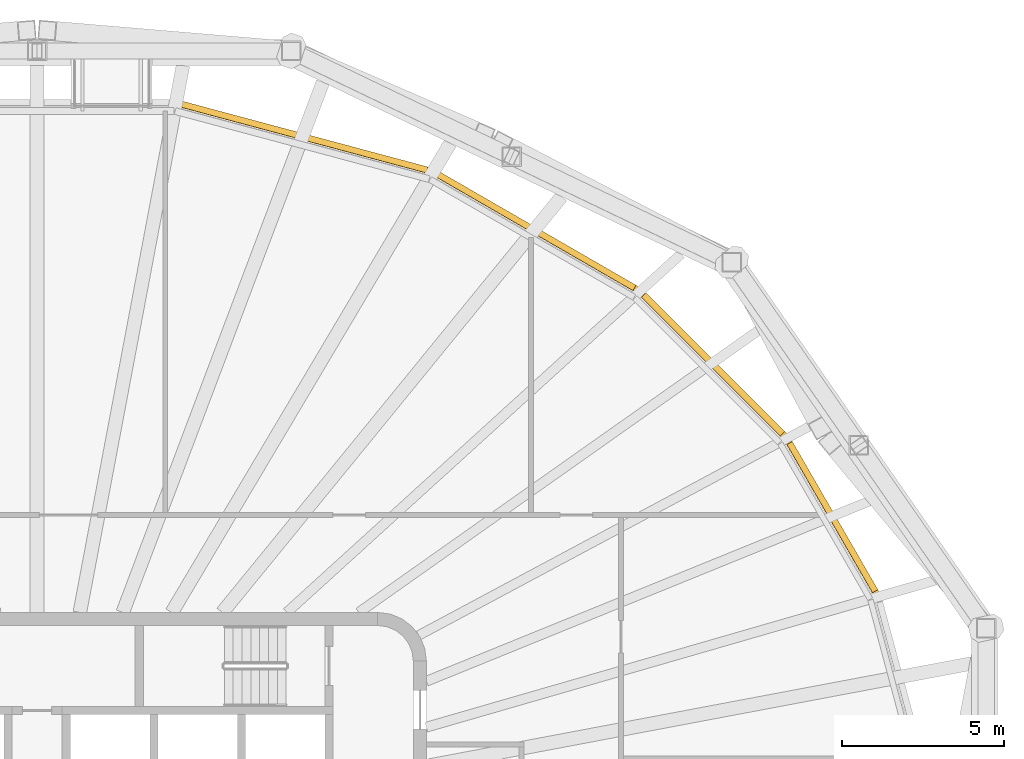
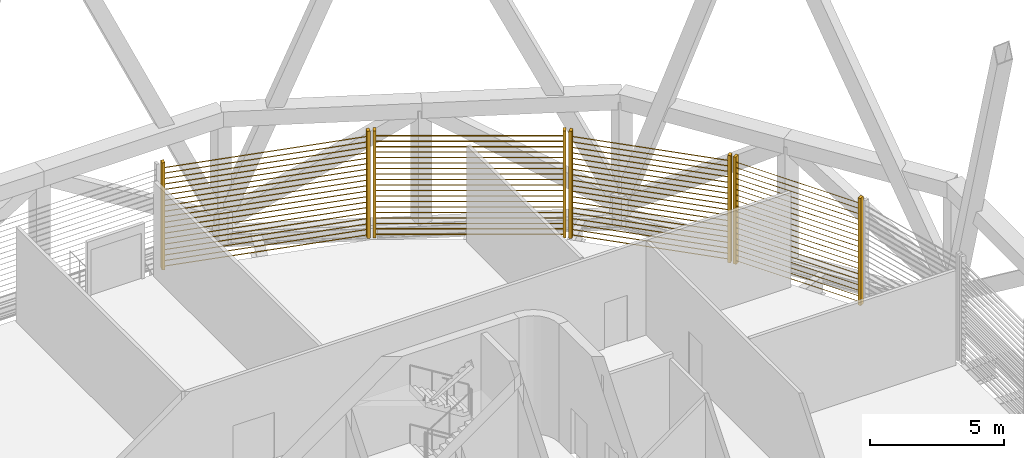
# One storey, part 16 of 16: 4 shading devices.
"""IFC4 building model written with IfcOpenShell, lengths in metres."""

from ifc_helpers import new_model, si_unit, direction, frame, origin, origin_2d, place, context, subcontext, project, spatial, rectangle, extrude, material, type_object, element, save


model = new_model("IFC4")

# Units and contexts
model_context = context("Model", 3, precision=1e-05, world=origin(), true_north=direction((0.0, 1.0)))
body_context = subcontext(model_context, "Body", "Model", "MODEL_VIEW")
ifc_project = project(units=[si_unit("LENGTHUNIT", "METRE"), si_unit("AREAUNIT", "SQUARE_METRE"), si_unit("VOLUMEUNIT", "CUBIC_METRE"), si_unit("PLANEANGLEUNIT", "RADIAN"), si_unit("MASSUNIT", "GRAM", prefix="KILO")], contexts=[model_context])

# Site, building, storey
site_placement = place(None, origin())
site = spatial("IfcSite", under=ifc_project, at=site_placement, CompositionType="ELEMENT")
building_placement = place(site_placement, origin())
building = spatial("IfcBuilding", under=site, at=building_placement, Name="Sahrelin Media Tower", CompositionType="ELEMENT")
storey_placement = place(building_placement, frame((0.0, 0.0, 299.0)))
storey = spatial("IfcBuildingStorey", under=building, at=storey_placement, Name="L66", CompositionType="ELEMENT", Elevation=299.0)

# Shading devices
ifc_material = material(Name="Champagne anodised aluminium 6063-T6", Category="aluminium")
shading_device_type = type_object("IfcShadingDeviceType", Name="Sand-rejection louvre band", PredefinedType="USERDEFINED", material=ifc_material)
shading_device_1_placement = place(storey_placement, frame((24.419677734375, 9.884033203125, 0.0), z_axis=(0.0, 0.0, 1.0), x_axis=(0.500011000363, -0.866019052629, 0.0)))
element("IfcShadingDevice", 1, at=shading_device_1_placement, inside=storey, type_object=shading_device_type, Name="L66:LOUVRE:L66-02", ObjectType="LOUVRE", PredefinedType="USERDEFINED", context=body_context, shape_type="SweptSolid", body=[
    extrude(rectangle(XDim=0.1201171875, YDim=0.199951171875, at=origin_2d()), frame((2.69580078125, 0.10009765625, 0.050048828125), z_axis=(0.0, 0.0, 1.0), x_axis=(1.0, 0.0, 0.0)), (0.0, 0.0, 1.0), 4.8984375),
    extrude(rectangle(XDim=0.1201171875, YDim=0.199951171875, at=origin_2d()), frame((-2.69580078125, 0.10009765625, 0.050048828125), z_axis=(0.0, 0.0, 1.0), x_axis=(1.0, 0.0, 0.0)), (0.0, 0.0, 1.0), 4.8984375),
    extrude(rectangle(XDim=0.25, YDim=0.02001953125, at=origin_2d()), frame((2.6357421875, 0.10009765625, 0.14990234375), z_axis=(-1.0, 0.0, 0.0), x_axis=(0.0, -0.766044443119, 0.642787609687)), (0.0, 0.0, 1.0), 5.271484375),
    extrude(rectangle(XDim=0.25, YDim=0.02001953125, at=origin_2d()), frame((2.6357421875, 0.10009765625, 0.39990234375), z_axis=(-1.0, 0.0, 0.0), x_axis=(0.0, -0.766044443119, 0.642787609687)), (0.0, 0.0, 1.0), 5.271484375),
    extrude(rectangle(XDim=0.25, YDim=0.02001953125, at=origin_2d()), frame((2.6357421875, 0.10009765625, 0.64990234375), z_axis=(-1.0, 0.0, 0.0), x_axis=(0.0, -0.766044443119, 0.642787609687)), (0.0, 0.0, 1.0), 5.271484375),
    extrude(rectangle(XDim=0.25, YDim=0.02001953125, at=origin_2d()), frame((2.6357421875, 0.10009765625, 0.89990234375), z_axis=(-1.0, 0.0, 0.0), x_axis=(0.0, -0.766044443119, 0.642787609687)), (0.0, 0.0, 1.0), 5.271484375),
    extrude(rectangle(XDim=0.25, YDim=0.02001953125, at=origin_2d()), frame((2.6357421875, 0.10009765625, 1.14990234375), z_axis=(-1.0, 0.0, 0.0), x_axis=(0.0, -0.766044443119, 0.642787609687)), (0.0, 0.0, 1.0), 5.271484375),
    extrude(rectangle(XDim=0.25, YDim=0.02001953125, at=origin_2d()), frame((2.6357421875, 0.10009765625, 1.39990234375), z_axis=(-1.0, 0.0, 0.0), x_axis=(0.0, -0.766044443119, 0.642787609687)), (0.0, 0.0, 1.0), 5.271484375),
    extrude(rectangle(XDim=0.25, YDim=0.02001953125, at=origin_2d()), frame((2.6357421875, 0.10009765625, 1.64990234375), z_axis=(-1.0, 0.0, 0.0), x_axis=(0.0, -0.766044443119, 0.642787609687)), (0.0, 0.0, 1.0), 5.271484375),
    extrude(rectangle(XDim=0.25, YDim=0.02001953125, at=origin_2d()), frame((2.6357421875, 0.10009765625, 1.89990234375), z_axis=(-1.0, 0.0, 0.0), x_axis=(0.0, -0.766044443119, 0.642787609687)), (0.0, 0.0, 1.0), 5.271484375),
    extrude(rectangle(XDim=0.25, YDim=0.02001953125, at=origin_2d()), frame((2.6357421875, 0.10009765625, 2.14990234375), z_axis=(-1.0, 0.0, 0.0), x_axis=(0.0, -0.766044443119, 0.642787609687)), (0.0, 0.0, 1.0), 5.271484375),
    extrude(rectangle(XDim=0.25, YDim=0.02001953125, at=origin_2d()), frame((2.6357421875, 0.10009765625, 2.39990234375), z_axis=(-1.0, 0.0, 0.0), x_axis=(0.0, -0.766044443119, 0.642787609687)), (0.0, 0.0, 1.0), 5.271484375),
    extrude(rectangle(XDim=0.25, YDim=0.02001953125, at=origin_2d()), frame((2.6357421875, 0.10009765625, 2.64990234375), z_axis=(-1.0, 0.0, 0.0), x_axis=(0.0, -0.766044443119, 0.642787609687)), (0.0, 0.0, 1.0), 5.271484375),
    extrude(rectangle(XDim=0.25, YDim=0.02001953125, at=origin_2d()), frame((2.6357421875, 0.10009765625, 2.89990234375), z_axis=(-1.0, 0.0, 0.0), x_axis=(0.0, -0.766044443119, 0.642787609687)), (0.0, 0.0, 1.0), 5.271484375),
    extrude(rectangle(XDim=0.25, YDim=0.02001953125, at=origin_2d()), frame((2.6357421875, 0.10009765625, 3.14990234375), z_axis=(-1.0, 0.0, 0.0), x_axis=(0.0, -0.766044443119, 0.642787609687)), (0.0, 0.0, 1.0), 5.271484375),
    extrude(rectangle(XDim=0.25, YDim=0.02001953125, at=origin_2d()), frame((2.6357421875, 0.10009765625, 3.39990234375), z_axis=(-1.0, 0.0, 0.0), x_axis=(0.0, -0.766044443119, 0.642787609687)), (0.0, 0.0, 1.0), 5.271484375),
    extrude(rectangle(XDim=0.25, YDim=0.02001953125, at=origin_2d()), frame((2.6357421875, 0.10009765625, 3.64990234375), z_axis=(-1.0, 0.0, 0.0), x_axis=(0.0, -0.766044443119, 0.642787609687)), (0.0, 0.0, 1.0), 5.271484375),
    extrude(rectangle(XDim=0.25, YDim=0.02001953125, at=origin_2d()), frame((2.6357421875, 0.10009765625, 3.89990234375), z_axis=(-1.0, 0.0, 0.0), x_axis=(0.0, -0.766044443119, 0.642787609687)), (0.0, 0.0, 1.0), 5.271484375),
    extrude(rectangle(XDim=0.25, YDim=0.02001953125, at=origin_2d()), frame((2.6357421875, 0.10009765625, 4.14990234375), z_axis=(-1.0, 0.0, 0.0), x_axis=(0.0, -0.766044443119, 0.642787609687)), (0.0, 0.0, 1.0), 5.271484375),
    extrude(rectangle(XDim=0.25, YDim=0.02001953125, at=origin_2d()), frame((2.6357421875, 0.10009765625, 4.39990234375), z_axis=(-1.0, 0.0, 0.0), x_axis=(0.0, -0.766044443119, 0.642787609687)), (0.0, 0.0, 1.0), 5.271484375),
    extrude(rectangle(XDim=0.25, YDim=0.02001953125, at=origin_2d()), frame((2.6357421875, 0.10009765625, 4.64990234375), z_axis=(-1.0, 0.0, 0.0), x_axis=(0.0, -0.766044443119, 0.642787609687)), (0.0, 0.0, 1.0), 5.271484375),
])
shading_device_2_placement = place(storey_placement, frame((20.76123046875, 14.5693359375, 0.0), z_axis=(0.0, 0.0, 1.0), x_axis=(0.707106781187, -0.707106781187, 0.0)))
element("IfcShadingDevice", 2, at=shading_device_2_placement, inside=storey, type_object=shading_device_type, Name="L66:LOUVRE:L66-03", ObjectType="LOUVRE", PredefinedType="USERDEFINED", context=body_context, shape_type="SweptSolid", body=[
    extrude(rectangle(XDim=0.1201171875, YDim=0.199951171875, at=origin_2d()), frame((3.07958984375, 0.10009765625, 0.050048828125), z_axis=(0.0, 0.0, 1.0), x_axis=(1.0, 0.0, 0.0)), (0.0, 0.0, 1.0), 4.8984375),
    extrude(rectangle(XDim=0.1201171875, YDim=0.199951171875, at=origin_2d()), frame((-3.07958984375, 0.10009765625, 0.050048828125), z_axis=(0.0, 0.0, 1.0), x_axis=(1.0, 0.0, 0.0)), (0.0, 0.0, 1.0), 4.8984375),
    extrude(rectangle(XDim=0.25, YDim=0.02001953125, at=origin_2d()), frame((3.019775390625, 0.10009765625, 0.14990234375), z_axis=(-1.0, 0.0, 0.0), x_axis=(0.0, -0.766044443119, 0.642787609687)), (0.0, 0.0, 1.0), 6.03955078125),
    extrude(rectangle(XDim=0.25, YDim=0.02001953125, at=origin_2d()), frame((3.019775390625, 0.10009765625, 0.39990234375), z_axis=(-1.0, 0.0, 0.0), x_axis=(0.0, -0.766044443119, 0.642787609687)), (0.0, 0.0, 1.0), 6.03955078125),
    extrude(rectangle(XDim=0.25, YDim=0.02001953125, at=origin_2d()), frame((3.019775390625, 0.10009765625, 0.64990234375), z_axis=(-1.0, 0.0, 0.0), x_axis=(0.0, -0.766044443119, 0.642787609687)), (0.0, 0.0, 1.0), 6.03955078125),
    extrude(rectangle(XDim=0.25, YDim=0.02001953125, at=origin_2d()), frame((3.019775390625, 0.10009765625, 0.89990234375), z_axis=(-1.0, 0.0, 0.0), x_axis=(0.0, -0.766044443119, 0.642787609687)), (0.0, 0.0, 1.0), 6.03955078125),
    extrude(rectangle(XDim=0.25, YDim=0.02001953125, at=origin_2d()), frame((3.019775390625, 0.10009765625, 1.14990234375), z_axis=(-1.0, 0.0, 0.0), x_axis=(0.0, -0.766044443119, 0.642787609687)), (0.0, 0.0, 1.0), 6.03955078125),
    extrude(rectangle(XDim=0.25, YDim=0.02001953125, at=origin_2d()), frame((3.019775390625, 0.10009765625, 1.39990234375), z_axis=(-1.0, 0.0, 0.0), x_axis=(0.0, -0.766044443119, 0.642787609687)), (0.0, 0.0, 1.0), 6.03955078125),
    extrude(rectangle(XDim=0.25, YDim=0.02001953125, at=origin_2d()), frame((3.019775390625, 0.10009765625, 1.64990234375), z_axis=(-1.0, 0.0, 0.0), x_axis=(0.0, -0.766044443119, 0.642787609687)), (0.0, 0.0, 1.0), 6.03955078125),
    extrude(rectangle(XDim=0.25, YDim=0.02001953125, at=origin_2d()), frame((3.019775390625, 0.10009765625, 1.89990234375), z_axis=(-1.0, 0.0, 0.0), x_axis=(0.0, -0.766044443119, 0.642787609687)), (0.0, 0.0, 1.0), 6.03955078125),
    extrude(rectangle(XDim=0.25, YDim=0.02001953125, at=origin_2d()), frame((3.019775390625, 0.10009765625, 2.14990234375), z_axis=(-1.0, 0.0, 0.0), x_axis=(0.0, -0.766044443119, 0.642787609687)), (0.0, 0.0, 1.0), 6.03955078125),
    extrude(rectangle(XDim=0.25, YDim=0.02001953125, at=origin_2d()), frame((3.019775390625, 0.10009765625, 2.39990234375), z_axis=(-1.0, 0.0, 0.0), x_axis=(0.0, -0.766044443119, 0.642787609687)), (0.0, 0.0, 1.0), 6.03955078125),
    extrude(rectangle(XDim=0.25, YDim=0.02001953125, at=origin_2d()), frame((3.019775390625, 0.10009765625, 2.64990234375), z_axis=(-1.0, 0.0, 0.0), x_axis=(0.0, -0.766044443119, 0.642787609687)), (0.0, 0.0, 1.0), 6.03955078125),
    extrude(rectangle(XDim=0.25, YDim=0.02001953125, at=origin_2d()), frame((3.019775390625, 0.10009765625, 2.89990234375), z_axis=(-1.0, 0.0, 0.0), x_axis=(0.0, -0.766044443119, 0.642787609687)), (0.0, 0.0, 1.0), 6.03955078125),
    extrude(rectangle(XDim=0.25, YDim=0.02001953125, at=origin_2d()), frame((3.019775390625, 0.10009765625, 3.14990234375), z_axis=(-1.0, 0.0, 0.0), x_axis=(0.0, -0.766044443119, 0.642787609687)), (0.0, 0.0, 1.0), 6.03955078125),
    extrude(rectangle(XDim=0.25, YDim=0.02001953125, at=origin_2d()), frame((3.019775390625, 0.10009765625, 3.39990234375), z_axis=(-1.0, 0.0, 0.0), x_axis=(0.0, -0.766044443119, 0.642787609687)), (0.0, 0.0, 1.0), 6.03955078125),
    extrude(rectangle(XDim=0.25, YDim=0.02001953125, at=origin_2d()), frame((3.019775390625, 0.10009765625, 3.64990234375), z_axis=(-1.0, 0.0, 0.0), x_axis=(0.0, -0.766044443119, 0.642787609687)), (0.0, 0.0, 1.0), 6.03955078125),
    extrude(rectangle(XDim=0.25, YDim=0.02001953125, at=origin_2d()), frame((3.019775390625, 0.10009765625, 3.89990234375), z_axis=(-1.0, 0.0, 0.0), x_axis=(0.0, -0.766044443119, 0.642787609687)), (0.0, 0.0, 1.0), 6.03955078125),
    extrude(rectangle(XDim=0.25, YDim=0.02001953125, at=origin_2d()), frame((3.019775390625, 0.10009765625, 4.14990234375), z_axis=(-1.0, 0.0, 0.0), x_axis=(0.0, -0.766044443119, 0.642787609687)), (0.0, 0.0, 1.0), 6.03955078125),
    extrude(rectangle(XDim=0.25, YDim=0.02001953125, at=origin_2d()), frame((3.019775390625, 0.10009765625, 4.39990234375), z_axis=(-1.0, 0.0, 0.0), x_axis=(0.0, -0.766044443119, 0.642787609687)), (0.0, 0.0, 1.0), 6.03955078125),
    extrude(rectangle(XDim=0.25, YDim=0.02001953125, at=origin_2d()), frame((3.019775390625, 0.10009765625, 4.64990234375), z_axis=(-1.0, 0.0, 0.0), x_axis=(0.0, -0.766044443119, 0.642787609687)), (0.0, 0.0, 1.0), 6.03955078125),
])
shading_device_3_placement = place(storey_placement, frame((15.332275390625, 18.656982421875, 0.0), z_axis=(0.0, 0.0, 1.0), x_axis=(0.866019052629, -0.500011000363, 0.0)))
element("IfcShadingDevice", 3, at=shading_device_3_placement, inside=storey, type_object=shading_device_type, Name="L66:LOUVRE:L66-04", ObjectType="LOUVRE", PredefinedType="USERDEFINED", context=body_context, shape_type="SweptSolid", body=[
    extrude(rectangle(XDim=0.1201171875, YDim=0.199951171875, at=origin_2d()), frame((3.5546875, 0.10009765625, 0.050048828125), z_axis=(0.0, 0.0, 1.0), x_axis=(1.0, 0.0, 0.0)), (0.0, 0.0, 1.0), 4.8984375),
    extrude(rectangle(XDim=0.1201171875, YDim=0.199951171875, at=origin_2d()), frame((-3.5546875, 0.10009765625, 0.050048828125), z_axis=(0.0, 0.0, 1.0), x_axis=(1.0, 0.0, 0.0)), (0.0, 0.0, 1.0), 4.8984375),
    extrude(rectangle(XDim=0.25, YDim=0.02001953125, at=origin_2d()), frame((3.49462890625, 0.10009765625, 0.14990234375), z_axis=(-1.0, 0.0, 0.0), x_axis=(0.0, -0.766044443119, 0.642787609687)), (0.0, 0.0, 1.0), 6.9892578125),
    extrude(rectangle(XDim=0.25, YDim=0.02001953125, at=origin_2d()), frame((3.49462890625, 0.10009765625, 0.39990234375), z_axis=(-1.0, 0.0, 0.0), x_axis=(0.0, -0.766044443119, 0.642787609687)), (0.0, 0.0, 1.0), 6.9892578125),
    extrude(rectangle(XDim=0.25, YDim=0.02001953125, at=origin_2d()), frame((3.49462890625, 0.10009765625, 0.64990234375), z_axis=(-1.0, 0.0, 0.0), x_axis=(0.0, -0.766044443119, 0.642787609687)), (0.0, 0.0, 1.0), 6.9892578125),
    extrude(rectangle(XDim=0.25, YDim=0.02001953125, at=origin_2d()), frame((3.49462890625, 0.10009765625, 0.89990234375), z_axis=(-1.0, 0.0, 0.0), x_axis=(0.0, -0.766044443119, 0.642787609687)), (0.0, 0.0, 1.0), 6.9892578125),
    extrude(rectangle(XDim=0.25, YDim=0.02001953125, at=origin_2d()), frame((3.49462890625, 0.10009765625, 1.14990234375), z_axis=(-1.0, 0.0, 0.0), x_axis=(0.0, -0.766044443119, 0.642787609687)), (0.0, 0.0, 1.0), 6.9892578125),
    extrude(rectangle(XDim=0.25, YDim=0.02001953125, at=origin_2d()), frame((3.49462890625, 0.10009765625, 1.39990234375), z_axis=(-1.0, 0.0, 0.0), x_axis=(0.0, -0.766044443119, 0.642787609687)), (0.0, 0.0, 1.0), 6.9892578125),
    extrude(rectangle(XDim=0.25, YDim=0.02001953125, at=origin_2d()), frame((3.49462890625, 0.10009765625, 1.64990234375), z_axis=(-1.0, 0.0, 0.0), x_axis=(0.0, -0.766044443119, 0.642787609687)), (0.0, 0.0, 1.0), 6.9892578125),
    extrude(rectangle(XDim=0.25, YDim=0.02001953125, at=origin_2d()), frame((3.49462890625, 0.10009765625, 1.89990234375), z_axis=(-1.0, 0.0, 0.0), x_axis=(0.0, -0.766044443119, 0.642787609687)), (0.0, 0.0, 1.0), 6.9892578125),
    extrude(rectangle(XDim=0.25, YDim=0.02001953125, at=origin_2d()), frame((3.49462890625, 0.10009765625, 2.14990234375), z_axis=(-1.0, 0.0, 0.0), x_axis=(0.0, -0.766044443119, 0.642787609687)), (0.0, 0.0, 1.0), 6.9892578125),
    extrude(rectangle(XDim=0.25, YDim=0.02001953125, at=origin_2d()), frame((3.49462890625, 0.10009765625, 2.39990234375), z_axis=(-1.0, 0.0, 0.0), x_axis=(0.0, -0.766044443119, 0.642787609687)), (0.0, 0.0, 1.0), 6.9892578125),
    extrude(rectangle(XDim=0.25, YDim=0.02001953125, at=origin_2d()), frame((3.49462890625, 0.10009765625, 2.64990234375), z_axis=(-1.0, 0.0, 0.0), x_axis=(0.0, -0.766044443119, 0.642787609687)), (0.0, 0.0, 1.0), 6.9892578125),
    extrude(rectangle(XDim=0.25, YDim=0.02001953125, at=origin_2d()), frame((3.49462890625, 0.10009765625, 2.89990234375), z_axis=(-1.0, 0.0, 0.0), x_axis=(0.0, -0.766044443119, 0.642787609687)), (0.0, 0.0, 1.0), 6.9892578125),
    extrude(rectangle(XDim=0.25, YDim=0.02001953125, at=origin_2d()), frame((3.49462890625, 0.10009765625, 3.14990234375), z_axis=(-1.0, 0.0, 0.0), x_axis=(0.0, -0.766044443119, 0.642787609687)), (0.0, 0.0, 1.0), 6.9892578125),
    extrude(rectangle(XDim=0.25, YDim=0.02001953125, at=origin_2d()), frame((3.49462890625, 0.10009765625, 3.39990234375), z_axis=(-1.0, 0.0, 0.0), x_axis=(0.0, -0.766044443119, 0.642787609687)), (0.0, 0.0, 1.0), 6.9892578125),
    extrude(rectangle(XDim=0.25, YDim=0.02001953125, at=origin_2d()), frame((3.49462890625, 0.10009765625, 3.64990234375), z_axis=(-1.0, 0.0, 0.0), x_axis=(0.0, -0.766044443119, 0.642787609687)), (0.0, 0.0, 1.0), 6.9892578125),
    extrude(rectangle(XDim=0.25, YDim=0.02001953125, at=origin_2d()), frame((3.49462890625, 0.10009765625, 3.89990234375), z_axis=(-1.0, 0.0, 0.0), x_axis=(0.0, -0.766044443119, 0.642787609687)), (0.0, 0.0, 1.0), 6.9892578125),
    extrude(rectangle(XDim=0.25, YDim=0.02001953125, at=origin_2d()), frame((3.49462890625, 0.10009765625, 4.14990234375), z_axis=(-1.0, 0.0, 0.0), x_axis=(0.0, -0.766044443119, 0.642787609687)), (0.0, 0.0, 1.0), 6.9892578125),
    extrude(rectangle(XDim=0.25, YDim=0.02001953125, at=origin_2d()), frame((3.49462890625, 0.10009765625, 4.39990234375), z_axis=(-1.0, 0.0, 0.0), x_axis=(0.0, -0.766044443119, 0.642787609687)), (0.0, 0.0, 1.0), 6.9892578125),
    extrude(rectangle(XDim=0.25, YDim=0.02001953125, at=origin_2d()), frame((3.49462890625, 0.10009765625, 4.64990234375), z_axis=(-1.0, 0.0, 0.0), x_axis=(0.0, -0.766044443119, 0.642787609687)), (0.0, 0.0, 1.0), 6.9892578125),
])
shading_device_4_placement = place(storey_placement, frame((8.210205078125, 21.54736328125, 0.0), z_axis=(0.0, 0.0, 1.0), x_axis=(0.965928857556, -0.258807731996, 0.0)))
element("IfcShadingDevice", 4, at=shading_device_4_placement, inside=storey, type_object=shading_device_type, Name="L66:LOUVRE:L66-05", ObjectType="LOUVRE", PredefinedType="USERDEFINED", context=body_context, shape_type="SweptSolid", body=[
    extrude(rectangle(XDim=0.1201171875, YDim=0.199951171875, at=origin_2d()), frame((3.9775390625, 0.10009765625, 0.050048828125), z_axis=(0.0, 0.0, 1.0), x_axis=(1.0, 0.0, 0.0)), (0.0, 0.0, 1.0), 4.8984375),
    extrude(rectangle(XDim=0.1201171875, YDim=0.199951171875, at=origin_2d()), frame((-3.9775390625, 0.10009765625, 0.050048828125), z_axis=(0.0, 0.0, 1.0), x_axis=(1.0, 0.0, 0.0)), (0.0, 0.0, 1.0), 4.8984375),
    extrude(rectangle(XDim=0.25, YDim=0.02001953125, at=origin_2d()), frame((3.91748046875, 0.10009765625, 0.14990234375), z_axis=(-1.0, 0.0, 0.0), x_axis=(0.0, -0.766044443119, 0.642787609687)), (0.0, 0.0, 1.0), 7.8349609375),
    extrude(rectangle(XDim=0.25, YDim=0.02001953125, at=origin_2d()), frame((3.91748046875, 0.10009765625, 0.39990234375), z_axis=(-1.0, 0.0, 0.0), x_axis=(0.0, -0.766044443119, 0.642787609687)), (0.0, 0.0, 1.0), 7.8349609375),
    extrude(rectangle(XDim=0.25, YDim=0.02001953125, at=origin_2d()), frame((3.91748046875, 0.10009765625, 0.64990234375), z_axis=(-1.0, 0.0, 0.0), x_axis=(0.0, -0.766044443119, 0.642787609687)), (0.0, 0.0, 1.0), 7.8349609375),
    extrude(rectangle(XDim=0.25, YDim=0.02001953125, at=origin_2d()), frame((3.91748046875, 0.10009765625, 0.89990234375), z_axis=(-1.0, 0.0, 0.0), x_axis=(0.0, -0.766044443119, 0.642787609687)), (0.0, 0.0, 1.0), 7.8349609375),
    extrude(rectangle(XDim=0.25, YDim=0.02001953125, at=origin_2d()), frame((3.91748046875, 0.10009765625, 1.14990234375), z_axis=(-1.0, 0.0, 0.0), x_axis=(0.0, -0.766044443119, 0.642787609687)), (0.0, 0.0, 1.0), 7.8349609375),
    extrude(rectangle(XDim=0.25, YDim=0.02001953125, at=origin_2d()), frame((3.91748046875, 0.10009765625, 1.39990234375), z_axis=(-1.0, 0.0, 0.0), x_axis=(0.0, -0.766044443119, 0.642787609687)), (0.0, 0.0, 1.0), 7.8349609375),
    extrude(rectangle(XDim=0.25, YDim=0.02001953125, at=origin_2d()), frame((3.91748046875, 0.10009765625, 1.64990234375), z_axis=(-1.0, 0.0, 0.0), x_axis=(0.0, -0.766044443119, 0.642787609687)), (0.0, 0.0, 1.0), 7.8349609375),
    extrude(rectangle(XDim=0.25, YDim=0.02001953125, at=origin_2d()), frame((3.91748046875, 0.10009765625, 1.89990234375), z_axis=(-1.0, 0.0, 0.0), x_axis=(0.0, -0.766044443119, 0.642787609687)), (0.0, 0.0, 1.0), 7.8349609375),
    extrude(rectangle(XDim=0.25, YDim=0.02001953125, at=origin_2d()), frame((3.91748046875, 0.10009765625, 2.14990234375), z_axis=(-1.0, 0.0, 0.0), x_axis=(0.0, -0.766044443119, 0.642787609687)), (0.0, 0.0, 1.0), 7.8349609375),
    extrude(rectangle(XDim=0.25, YDim=0.02001953125, at=origin_2d()), frame((3.91748046875, 0.10009765625, 2.39990234375), z_axis=(-1.0, 0.0, 0.0), x_axis=(0.0, -0.766044443119, 0.642787609687)), (0.0, 0.0, 1.0), 7.8349609375),
    extrude(rectangle(XDim=0.25, YDim=0.02001953125, at=origin_2d()), frame((3.91748046875, 0.10009765625, 2.64990234375), z_axis=(-1.0, 0.0, 0.0), x_axis=(0.0, -0.766044443119, 0.642787609687)), (0.0, 0.0, 1.0), 7.8349609375),
    extrude(rectangle(XDim=0.25, YDim=0.02001953125, at=origin_2d()), frame((3.91748046875, 0.10009765625, 2.89990234375), z_axis=(-1.0, 0.0, 0.0), x_axis=(0.0, -0.766044443119, 0.642787609687)), (0.0, 0.0, 1.0), 7.8349609375),
    extrude(rectangle(XDim=0.25, YDim=0.02001953125, at=origin_2d()), frame((3.91748046875, 0.10009765625, 3.14990234375), z_axis=(-1.0, 0.0, 0.0), x_axis=(0.0, -0.766044443119, 0.642787609687)), (0.0, 0.0, 1.0), 7.8349609375),
    extrude(rectangle(XDim=0.25, YDim=0.02001953125, at=origin_2d()), frame((3.91748046875, 0.10009765625, 3.39990234375), z_axis=(-1.0, 0.0, 0.0), x_axis=(0.0, -0.766044443119, 0.642787609687)), (0.0, 0.0, 1.0), 7.8349609375),
    extrude(rectangle(XDim=0.25, YDim=0.02001953125, at=origin_2d()), frame((3.91748046875, 0.10009765625, 3.64990234375), z_axis=(-1.0, 0.0, 0.0), x_axis=(0.0, -0.766044443119, 0.642787609687)), (0.0, 0.0, 1.0), 7.8349609375),
    extrude(rectangle(XDim=0.25, YDim=0.02001953125, at=origin_2d()), frame((3.91748046875, 0.10009765625, 3.89990234375), z_axis=(-1.0, 0.0, 0.0), x_axis=(0.0, -0.766044443119, 0.642787609687)), (0.0, 0.0, 1.0), 7.8349609375),
    extrude(rectangle(XDim=0.25, YDim=0.02001953125, at=origin_2d()), frame((3.91748046875, 0.10009765625, 4.14990234375), z_axis=(-1.0, 0.0, 0.0), x_axis=(0.0, -0.766044443119, 0.642787609687)), (0.0, 0.0, 1.0), 7.8349609375),
    extrude(rectangle(XDim=0.25, YDim=0.02001953125, at=origin_2d()), frame((3.91748046875, 0.10009765625, 4.39990234375), z_axis=(-1.0, 0.0, 0.0), x_axis=(0.0, -0.766044443119, 0.642787609687)), (0.0, 0.0, 1.0), 7.8349609375),
    extrude(rectangle(XDim=0.25, YDim=0.02001953125, at=origin_2d()), frame((3.91748046875, 0.10009765625, 4.64990234375), z_axis=(-1.0, 0.0, 0.0), x_axis=(0.0, -0.766044443119, 0.642787609687)), (0.0, 0.0, 1.0), 7.8349609375),
])

save(model, "model.ifc")
